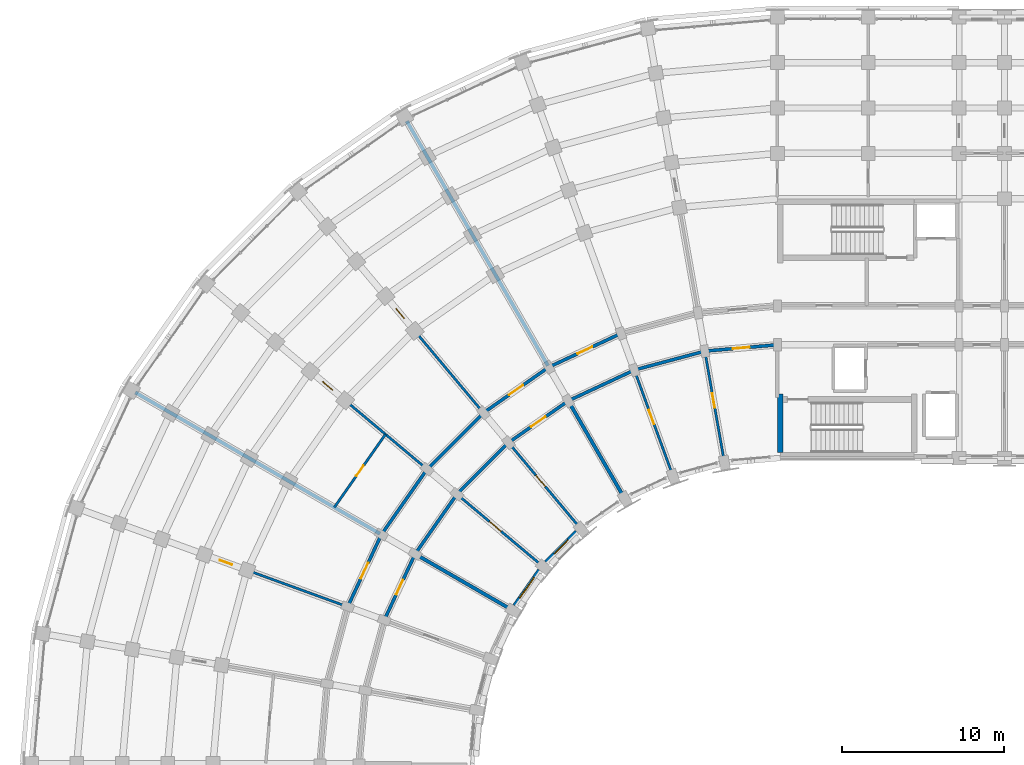
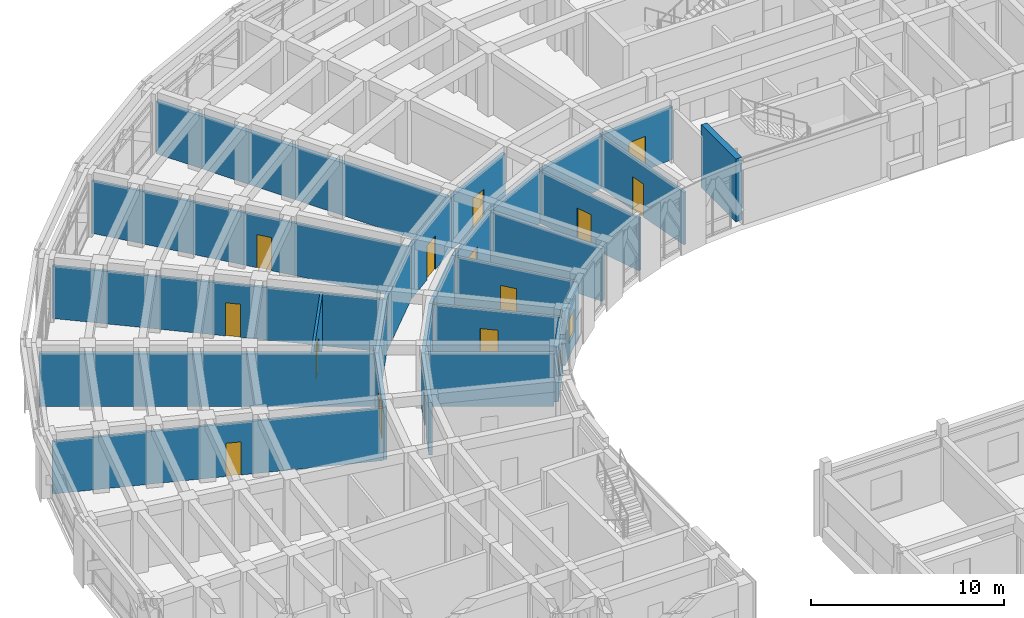
# One storey, part 68 of 97: 27 walls, 14 doors, 2 windows, 16 openings.
"""IFC4 building model written with IfcOpenShell, lengths in metres."""

from ifc_helpers import new_model, si_unit, direction, frame, frame_2d, origin, place, context, subcontext, project, spatial, rectangle, extrude, material, layer, layer_set, type_object, element, fill, save


model = new_model("IFC4")

# Units and contexts
model_context = context("Model", 3, precision=1e-05, world=origin(), true_north=direction((0.0, 1.0)))
body_context = subcontext(model_context, "Body", "Model", "MODEL_VIEW")
ifc_project = project(units=[si_unit("LENGTHUNIT", "METRE"), si_unit("AREAUNIT", "SQUARE_METRE"), si_unit("VOLUMEUNIT", "CUBIC_METRE"), si_unit("PLANEANGLEUNIT", "RADIAN"), si_unit("MASSUNIT", "GRAM", prefix="KILO")], contexts=[model_context])

# Site, building, storey
site_placement = place(None, origin())
site = spatial("IfcSite", under=ifc_project, at=site_placement, CompositionType="ELEMENT")
building_placement = place(site_placement, origin())
building = spatial("IfcBuilding", under=site, at=building_placement, Name="Kiranvali Square Residences", CompositionType="ELEMENT")
storey_placement = place(building_placement, frame((0.0, 0.0, 4.5)))
storey = spatial("IfcBuildingStorey", under=building, at=storey_placement, Name="L01", CompositionType="ELEMENT", Elevation=4.5)

# Wall, opening, door
ifc_material_1 = material(Name="Autoclaved aerated concrete blockwork masonry", Category="masonry")
ifc_layer_1 = layer(ifc_material_1, 0.199951171875)
ifc_layer_set_1 = layer_set([ifc_layer_1], Name="Autoclaved aerated concrete blockwork masonry")
wall_type_1 = type_object("IfcWallType", Name="WL-COR-200", PredefinedType="STANDARD", material=ifc_layer_set_1)
wall_1_placement = place(storey_placement, frame((48.199951171875, 113.60009765625, 0.0), z_axis=(0.0, 0.0, 1.0), x_axis=(-0.996191949488, -0.087187153726, 0.0)))
wall_1 = element("IfcWall", 1, at=wall_1_placement, inside=storey, type_object=wall_type_1, Name="L01 architectural wall WL-L01-A-CCI-0", PredefinedType="STANDARD", context=body_context, shape_type="SweptSolid", body=[
    extrude(rectangle(XDim=4.4970703125, YDim=0.199951171875, at=frame_2d((2.24853515625, 0.0))), origin(), (0.0, 0.0, 1.0), 3.322021484375),
])
opening_1_placement = place(wall_1_placement, frame((1.728515625, 0.0, 0.0)))
opening_1 = element("IfcOpeningElement", 2, at=opening_1_placement, cuts=wall_1, Name="Opening FD-APT-60B", PredefinedType="OPENING", context=body_context, shape_type="SweptSolid", body=[
    extrude(rectangle(XDim=1.0400390625, YDim=2.14990234375, at=frame_2d((0.52001953125, 1.074951171875))), frame((0.0, 0.10986328125, 0.0), z_axis=(0.0, -1.0, 0.0), x_axis=(1.0, 0.0, 0.0)), (0.0, 0.0, 1.0), 0.219970703125),
])
ifc_material_2 = material(Name="Fire-rated acoustic hardwood and mineral-core door assembly", Category="wood")
door_type_1 = type_object("IfcDoorType", Name="DR-APT-1040", OperationType="NOTDEFINED", PredefinedType="DOOR", material=ifc_material_2)
door_1_placement = place(opening_1_placement, origin())
door_1 = element("IfcDoor", 3, at=door_1_placement, inside=storey, type_object=door_type_1, Name="L01 door DR-L01-0141 (DR-APT-1040)", OperationType="SINGLE_SWING_LEFT", OverallHeight=2.14990234375, OverallWidth=1.0400390625, PredefinedType="DOOR", context=body_context, shape_type="SweptSolid", body=[
    extrude(rectangle(XDim=1.0400390625, YDim=2.14990234375, at=frame_2d((0.52001953125, 1.074951171875))), frame((0.0, 0.02490234375, 0.0), z_axis=(0.0, -1.0, 0.0), x_axis=(1.0, 0.0, 0.0)), (0.0, 0.0, 1.0), 0.050048828125),
])
fill(opening_1, door_1)

# Walls
for number, where, z_axis, x_axis, name in (
    (4, (43.719970703125, 113.2080078125, 0.0), (0.0, 0.0, 1.0), (-0.965934240054, -0.258787642463, 0.0), "L01 architectural wall WL-L01-A-CCI-1"),
    (5, (39.3759765625, 112.044189453125, 0.0), (0.0, 0.0, 1.0), (-0.906307919131, -0.422617978463, 0.0), "L01 architectural wall WL-L01-A-CCI-2"),
):
    element("IfcWall", number, at=place(storey_placement, frame(where, z_axis=z_axis, x_axis=x_axis)), inside=storey, type_object=wall_type_1, Name=name, PredefinedType="STANDARD", context=body_context, shape_type="SweptSolid", body=[
        extrude(rectangle(XDim=4.497314453125, YDim=0.199951171875, at=frame_2d((2.24853515625, 0.0))), origin(), (0.0, 0.0, 1.0), 3.322021484375),
    ])

# Wall, opening, door
wall_2_placement = place(storey_placement, frame((38.554931640625, 114.29931640625, 0.0), z_axis=(0.0, 0.0, 1.0), x_axis=(-0.906302381024, -0.422629854778, 0.0)))
wall_2 = element("IfcWall", 6, at=wall_2_placement, inside=storey, type_object=wall_type_1, Name="L01 architectural wall WL-L01-A-CCO-2", PredefinedType="STANDARD", context=body_context, shape_type="SweptSolid", body=[
    extrude(rectangle(XDim=4.915283203125, YDim=0.199951171875, at=frame_2d((2.45751953125, 0.0))), origin(), (0.0, 0.0, 1.0), 3.322021484375),
])
opening_2_placement = place(wall_2_placement, frame((1.957763671875, 0.0, 0.0)))
opening_2 = element("IfcOpeningElement", 7, at=opening_2_placement, cuts=wall_2, Name="Opening FD-APT-60", PredefinedType="OPENING", context=body_context, shape_type="SweptSolid", body=[
    extrude(rectangle(XDim=1.0, YDim=2.14990234375, at=frame_2d((0.5, 1.074951171875))), frame((0.0, 0.10986328125, 0.0), z_axis=(0.0, -1.0, 0.0), x_axis=(1.0, 0.0, 0.0)), (0.0, 0.0, 1.0), 0.219970703125),
])
door_type_2 = type_object("IfcDoorType", Name="DR-APT-1000", OperationType="NOTDEFINED", PredefinedType="DOOR", material=ifc_material_2)
door_2_placement = place(opening_2_placement, frame((1.0, 0.0, 0.0), z_axis=(0.0, 0.0, 1.0), x_axis=(-1.0, 0.0, 0.0)))
door_2 = element("IfcDoor", 8, at=door_2_placement, inside=storey, type_object=door_type_2, Name="L01 door DR-L01-0136 (DR-APT-1000)", OperationType="SINGLE_SWING_RIGHT", OverallHeight=2.14990234375, OverallWidth=1.0, PredefinedType="DOOR", context=body_context, shape_type="SweptSolid", body=[
    extrude(rectangle(XDim=1.0, YDim=2.14990234375, at=frame_2d((0.5, 1.074951171875))), frame((0.0, 0.02490234375, 0.0), z_axis=(0.0, -1.0, 0.0), x_axis=(1.0, 0.0, 0.0)), (0.0, 0.0, 1.0), 0.050048828125),
])
fill(opening_2, door_2)

wall_3_placement = place(storey_placement, frame((35.300048828125, 110.1435546875, 0.0), z_axis=(0.0, 0.0, 1.0), x_axis=(-0.819155404658, -0.573571637217, 0.0)))
wall_3 = element("IfcWall", 9, at=wall_3_placement, inside=storey, type_object=wall_type_1, Name="L01 architectural wall WL-L01-A-CCI-3", PredefinedType="STANDARD", context=body_context, shape_type="SweptSolid", body=[
    extrude(rectangle(XDim=4.497314453125, YDim=0.199951171875, at=frame_2d((2.24853515625, 0.0))), origin(), (0.0, 0.0, 1.0), 3.322021484375),
])
opening_3_placement = place(wall_3_placement, frame((1.708740234375, 0.0, 0.0)))
opening_3 = element("IfcOpeningElement", 10, at=opening_3_placement, cuts=wall_3, Name="Opening FD-APT-60C", PredefinedType="OPENING", context=body_context, shape_type="SweptSolid", body=[
    extrude(rectangle(XDim=1.080078125, YDim=2.14990234375, at=frame_2d((0.5400390625, 1.074951171875))), frame((0.0, 0.10986328125, 0.0), z_axis=(0.0, -1.0, 0.0), x_axis=(1.0, 0.0, 0.0)), (0.0, 0.0, 1.0), 0.219970703125),
])
door_type_3 = type_object("IfcDoorType", Name="DR-APT-1080", OperationType="NOTDEFINED", PredefinedType="DOOR", material=ifc_material_2)
door_3_placement = place(opening_3_placement, frame((1.080078125, 0.0, 0.0), z_axis=(0.0, 0.0, 1.0), x_axis=(-1.0, 0.0, 0.0)))
door_3 = element("IfcDoor", 11, at=door_3_placement, inside=storey, type_object=door_type_3, Name="L01 door DR-L01-0142 (DR-APT-1080)", OperationType="SINGLE_SWING_RIGHT", OverallHeight=2.14990234375, OverallWidth=1.080078125, PredefinedType="DOOR", context=body_context, shape_type="SweptSolid", body=[
    extrude(rectangle(XDim=1.080078125, YDim=2.14990234375, at=frame_2d((0.5400390625, 1.074951171875))), frame((0.0, 0.02490234375, 0.0), z_axis=(0.0, -1.0, 0.0), x_axis=(1.0, 0.0, 0.0)), (0.0, 0.0, 1.0), 0.050048828125),
])
fill(opening_3, door_3)

wall_4_placement = place(storey_placement, frame((34.10009765625, 112.221923828125, 0.0), z_axis=(0.0, 0.0, 1.0), x_axis=(-0.819140911474, -0.573592335331, 0.0)))
wall_4 = element("IfcWall", 12, at=wall_4_placement, inside=storey, type_object=wall_type_1, Name="L01 architectural wall WL-L01-A-CCO-3", PredefinedType="STANDARD", context=body_context, shape_type="SweptSolid", body=[
    extrude(rectangle(XDim=4.915771484375, YDim=0.199951171875, at=frame_2d((2.4580078125, 0.0))), origin(), (0.0, 0.0, 1.0), 3.322021484375),
])
opening_4_placement = place(wall_4_placement, frame((1.937744140625, 0.0, 0.0)))
opening_4 = element("IfcOpeningElement", 13, at=opening_4_placement, cuts=wall_4, Name="Opening FD-APT-60B", PredefinedType="OPENING", context=body_context, shape_type="SweptSolid", body=[
    extrude(rectangle(XDim=1.0400390625, YDim=2.14990234375, at=frame_2d((0.52001953125, 1.074951171875))), frame((0.0, 0.10986328125, 0.0), z_axis=(0.0, -1.0, 0.0), x_axis=(1.0, 0.0, 0.0)), (0.0, 0.0, 1.0), 0.219970703125),
])
door_4_placement = place(opening_4_placement, origin())
door_4 = element("IfcDoor", 14, at=door_4_placement, inside=storey, type_object=door_type_1, Name="L01 door DR-L01-0137 (DR-APT-1040)", OperationType="SINGLE_SWING_LEFT", OverallHeight=2.14990234375, OverallWidth=1.0400390625, PredefinedType="DOOR", context=body_context, shape_type="SweptSolid", body=[
    extrude(rectangle(XDim=1.0400390625, YDim=2.14990234375, at=frame_2d((0.52001953125, 1.074951171875))), frame((0.0, 0.02490234375, 0.0), z_axis=(0.0, -1.0, 0.0), x_axis=(1.0, 0.0, 0.0)), (0.0, 0.0, 1.0), 0.050048828125),
])
fill(opening_4, door_4)

# Walls
wall_5_placement = place(storey_placement, frame((31.615966796875, 107.56396484375, 0.0), z_axis=(0.0, 0.0, 1.0), x_axis=(-0.707106781187, -0.707106781187, 0.0)))
element("IfcWall", 15, at=wall_5_placement, inside=storey, type_object=wall_type_1, Name="L01 architectural wall WL-L01-A-CCI-4", PredefinedType="STANDARD", context=body_context, shape_type="SweptSolid", body=[
    extrude(rectangle(XDim=4.4970703125, YDim=0.199951171875, at=frame_2d((2.24853515625, 0.0))), origin(), (0.0, 0.0, 1.0), 3.322021484375),
])
wall_6_placement = place(storey_placement, frame((30.073486328125, 109.40234375, 0.0), z_axis=(0.0, 0.0, 1.0), x_axis=(-0.707106781187, -0.707106781187, 0.0)))
element("IfcWall", 16, at=wall_6_placement, inside=storey, type_object=wall_type_1, Name="L01 architectural wall WL-L01-A-CCO-4", PredefinedType="STANDARD", context=body_context, shape_type="SweptSolid", body=[
    extrude(rectangle(XDim=4.91552734375, YDim=0.199951171875, at=frame_2d((2.457763671875, 0.0))), origin(), (0.0, 0.0, 1.0), 3.322021484375),
])
wall_7_placement = place(storey_placement, frame((28.43603515625, 104.384033203125, 0.0), z_axis=(0.0, 0.0, 1.0), x_axis=(-0.573571637217, -0.819155404658, 0.0)))
element("IfcWall", 17, at=wall_7_placement, inside=storey, type_object=wall_type_1, Name="L01 architectural wall WL-L01-A-CCI-5", PredefinedType="STANDARD", context=body_context, shape_type="SweptSolid", body=[
    extrude(rectangle(XDim=4.497314453125, YDim=0.199951171875, at=frame_2d((2.24853515625, 0.0))), origin(), (0.0, 0.0, 1.0), 3.322021484375),
])
wall_8_placement = place(storey_placement, frame((26.59765625, 105.926513671875, 0.0), z_axis=(0.0, 0.0, 1.0), x_axis=(-0.573592335331, -0.819140911474, 0.0)))
element("IfcWall", 18, at=wall_8_placement, inside=storey, type_object=wall_type_1, Name="L01 architectural wall WL-L01-A-CCO-5", PredefinedType="STANDARD", context=body_context, shape_type="SweptSolid", body=[
    extrude(rectangle(XDim=4.915771484375, YDim=0.199951171875, at=frame_2d((2.4580078125, 0.0))), origin(), (0.0, 0.0, 1.0), 3.322021484375),
])

# Wall, opening, door
wall_9_placement = place(storey_placement, frame((25.8564453125, 100.699951171875, 0.0), z_axis=(0.0, 0.0, 1.0), x_axis=(-0.422617978463, -0.906307919131, 0.0)))
wall_9 = element("IfcWall", 19, at=wall_9_placement, inside=storey, type_object=wall_type_1, Name="L01 architectural wall WL-L01-A-CCI-6", PredefinedType="STANDARD", context=body_context, shape_type="SweptSolid", body=[
    extrude(rectangle(XDim=4.497314453125, YDim=0.199951171875, at=frame_2d((2.24853515625, 0.0))), origin(), (0.0, 0.0, 1.0), 3.322021484375),
])
opening_5_placement = place(wall_9_placement, frame((1.74853515625, 0.0, 0.0)))
opening_5 = element("IfcOpeningElement", 20, at=opening_5_placement, cuts=wall_9, Name="Opening FD-APT-60", PredefinedType="OPENING", context=body_context, shape_type="SweptSolid", body=[
    extrude(rectangle(XDim=1.0, YDim=2.14990234375, at=frame_2d((0.5, 1.074951171875))), frame((0.0, 0.10986328125, 0.0), z_axis=(0.0, -1.0, 0.0), x_axis=(1.0, 0.0, 0.0)), (0.0, 0.0, 1.0), 0.219970703125),
])
door_5_placement = place(opening_5_placement, origin())
door_5 = element("IfcDoor", 21, at=door_5_placement, inside=storey, type_object=door_type_2, Name="L01 door DR-L01-0143 (DR-APT-1000)", OperationType="SINGLE_SWING_LEFT", OverallHeight=2.14990234375, OverallWidth=1.0, PredefinedType="DOOR", context=body_context, shape_type="SweptSolid", body=[
    extrude(rectangle(XDim=1.0, YDim=2.14990234375, at=frame_2d((0.5, 1.074951171875))), frame((0.0, 0.02490234375, 0.0), z_axis=(0.0, -1.0, 0.0), x_axis=(1.0, 0.0, 0.0)), (0.0, 0.0, 1.0), 0.050048828125),
])
fill(opening_5, door_5)

wall_10_placement = place(storey_placement, frame((23.778076171875, 101.89990234375, 0.0), z_axis=(0.0, 0.0, 1.0), x_axis=(-0.422629854778, -0.906302381024, 0.0)))
wall_10 = element("IfcWall", 22, at=wall_10_placement, inside=storey, type_object=wall_type_1, Name="L01 architectural wall WL-L01-A-CCO-6", PredefinedType="STANDARD", context=body_context, shape_type="SweptSolid", body=[
    extrude(rectangle(XDim=4.915283203125, YDim=0.199951171875, at=frame_2d((2.45751953125, 0.0))), origin(), (0.0, 0.0, 1.0), 3.322021484375),
])
opening_6_placement = place(wall_10_placement, frame((1.917724609375, 0.0, 0.0)))
opening_6 = element("IfcOpeningElement", 23, at=opening_6_placement, cuts=wall_10, Name="Opening FD-APT-60C", PredefinedType="OPENING", context=body_context, shape_type="SweptSolid", body=[
    extrude(rectangle(XDim=1.080078125, YDim=2.14990234375, at=frame_2d((0.5400390625, 1.074951171875))), frame((0.0, 0.10986328125, 0.0), z_axis=(0.0, -1.0, 0.0), x_axis=(1.0, 0.0, 0.0)), (0.0, 0.0, 1.0), 0.219970703125),
])
door_6_placement = place(opening_6_placement, origin())
door_6 = element("IfcDoor", 24, at=door_6_placement, inside=storey, type_object=door_type_3, Name="L01 door DR-L01-0139 (DR-APT-1080)", OperationType="SINGLE_SWING_LEFT", OverallHeight=2.14990234375, OverallWidth=1.080078125, PredefinedType="DOOR", context=body_context, shape_type="SweptSolid", body=[
    extrude(rectangle(XDim=1.080078125, YDim=2.14990234375, at=frame_2d((0.5400390625, 1.074951171875))), frame((0.0, 0.02490234375, 0.0), z_axis=(0.0, -1.0, 0.0), x_axis=(1.0, 0.0, 0.0)), (0.0, 0.0, 1.0), 0.050048828125),
])
fill(opening_6, door_6)

# Walls
ifc_layer_2 = layer(ifc_material_1, 0.219970703125)
ifc_layer_set_2 = layer_set([ifc_layer_2], Name="Autoclaved aerated concrete blockwork masonry")
wall_type_2 = type_object("IfcWallType", Name="WL-DEM-220", PredefinedType="STANDARD", material=ifc_layer_set_2)
for number, where, z_axis, x_axis, name in (
    (25, (38.699951171875, 104.25439453125, 0.0), (0.0, 0.0, 1.0), (-0.499997969693, 0.866026575979, 0.0), "L01 architectural wall WL-L01-A-RADI-3"),
    (26, (31.74560546875, 97.300048828125, 0.0), (0.0, 0.0, 1.0), (-0.866026575979, 0.499997969693, 0.0), "L01 architectural wall WL-L01-A-RADI-6"),
):
    element("IfcWall", number, at=place(storey_placement, frame(where, z_axis=z_axis, x_axis=x_axis)), inside=storey, type_object=wall_type_2, Name=name, PredefinedType="STANDARD", context=body_context, shape_type="SweptSolid", body=[
        extrude(rectangle(XDim=6.75, YDim=0.219970703125, at=frame_2d((3.375, 0.0))), origin(), (0.0, 0.0, 1.0), 3.322021484375),
    ])
ifc_layer_3 = layer(ifc_material_1, 0.22998046875)
ifc_layer_set_3 = layer_set([ifc_layer_3], Name="Autoclaved aerated concrete blockwork masonry")
wall_type_3 = type_object("IfcWallType", Name="WL-DEM-230", PredefinedType="STANDARD", material=ifc_layer_set_3)
for number, where, z_axis, x_axis, name in (
    (27, (34.050048828125, 112.30859375, 0.0), (0.0, 0.0, 1.0), (-0.499997843263, 0.866026648973, 0.0), "L01 architectural wall WL-L01-A-RADO-3"),
    (28, (23.69140625, 101.949951171875, 0.0), (0.0, 0.0, 1.0), (-0.866026648973, 0.499997843263, 0.0), "L01 architectural wall WL-L01-A-RADO-6"),
):
    element("IfcWall", number, at=place(storey_placement, frame(where, z_axis=z_axis, x_axis=x_axis)), inside=storey, type_object=wall_type_3, Name=name, PredefinedType="STANDARD", context=body_context, shape_type="SweptSolid", body=[
        extrude(rectangle(XDim=17.419921875, YDim=0.22998046875, at=frame_2d((8.7099609375, 0.0))), origin(), (0.0, 0.0, 1.0), 3.322021484375),
    ])

# Wall, opening, window
ifc_material_3 = material(Name="Breathable lime-rendered clay brick masonry", Category="masonry")
ifc_layer_4 = layer(ifc_material_3, 0.25)
ifc_layer_set_4 = layer_set([ifc_layer_4], Name="Breathable lime-rendered clay brick masonry")
wall_type_4 = type_object("IfcWallType", Name="WL-EXT-250", PredefinedType="STANDARD", material=ifc_layer_set_4)
wall_11_placement = place(storey_placement, frame((35.8125, 102.0751953125, 0.0), z_axis=(0.0, 0.0, 1.0), x_axis=(-0.707106781187, -0.707106781187, 0.0)))
wall_11 = element("IfcWall", 29, at=wall_11_placement, inside=storey, type_object=wall_type_4, Name="L01 exterior wall A-L01-GDN-04", PredefinedType="STANDARD", context=body_context, shape_type="SweptSolid", body=[
    extrude(rectangle(XDim=2.669677734375, YDim=0.25, at=frame_2d((1.3349609375, 0.0))), origin(), (0.0, 0.0, 1.0), 3.471923828125),
])
opening_7_placement = place(wall_11_placement, frame((0.73486328125, 0.0, 0.8798828125)))
opening_7 = element("IfcOpeningElement", 30, at=opening_7_placement, cuts=wall_11, Name="Opening W-06", PredefinedType="OPENING", context=body_context, shape_type="SweptSolid", body=[
    extrude(rectangle(XDim=1.199951171875, YDim=1.5, at=frame_2d((0.60009765625, 0.75))), frame((0.0, 0.135009765625, 0.0), z_axis=(0.0, -1.0, 0.0), x_axis=(1.0, 0.0, 0.0)), (0.0, 0.0, 1.0), 0.27001953125),
])
ifc_material_4 = material(Name="Solar-control low-e double glazing", Category="glass")
window_type_1 = type_object("IfcWindowType", Name="WIN-RES-1200x1500", PartitioningType="SINGLE_PANEL", PredefinedType="WINDOW", material=ifc_material_4)
window_1_placement = place(opening_7_placement, origin())
window_1 = element("IfcWindow", 31, at=window_1_placement, inside=storey, type_object=window_type_1, Name="L01 recessed window A-L01-GDN-04", OverallHeight=1.5, OverallWidth=1.199951171875, PartitioningType="SINGLE_PANEL", PredefinedType="WINDOW", context=body_context, shape_type="SweptSolid", body=[
    extrude(rectangle(XDim=1.199951171875, YDim=1.5, at=frame_2d((0.60009765625, 0.75))), frame((0.0, 0.030029296875, 0.0), z_axis=(0.0, -1.0, 0.0), x_axis=(1.0, 0.0, 0.0)), (0.0, 0.0, 1.0), 0.06005859375),
])
fill(opening_7, window_1)

wall_12_placement = place(storey_placement, frame((33.521728515625, 99.707275390625, 0.0), z_axis=(0.0, 0.0, 1.0), x_axis=(-0.573591230309, -0.819141685249, 0.0)))
wall_12 = element("IfcWall", 32, at=wall_12_placement, inside=storey, type_object=wall_type_4, Name="L01 exterior wall A-L01-GDN-05", PredefinedType="STANDARD", context=body_context, shape_type="SweptSolid", body=[
    extrude(rectangle(XDim=2.669677734375, YDim=0.25, at=frame_2d((1.3349609375, 0.0))), origin(), (0.0, 0.0, 1.0), 3.471923828125),
])
opening_8_placement = place(wall_12_placement, frame((0.559814453125, 0.0, 0.8798828125)))
opening_8 = element("IfcOpeningElement", 33, at=opening_8_placement, cuts=wall_12, Name="Opening W-18", PredefinedType="OPENING", context=body_context, shape_type="SweptSolid", body=[
    extrude(rectangle(XDim=1.550048828125, YDim=1.60009765625, at=frame_2d((0.77490234375, 0.800048828125))), frame((0.0, 0.135009765625, 0.0), z_axis=(0.0, -1.0, 0.0), x_axis=(1.0, 0.0, 0.0)), (0.0, 0.0, 1.0), 0.27001953125),
])
window_type_2 = type_object("IfcWindowType", Name="WIN-GDN-1550x1600", PartitioningType="DOUBLE_PANEL_VERTICAL", PredefinedType="WINDOW", material=ifc_material_4)
window_2_placement = place(opening_8_placement, origin())
window_2 = element("IfcWindow", 34, at=window_2_placement, inside=storey, type_object=window_type_2, Name="L01 recessed window A-L01-GDN-05", OverallHeight=1.60009765625, OverallWidth=1.550048828125, PartitioningType="DOUBLE_PANEL_VERTICAL", PredefinedType="WINDOW", context=body_context, shape_type="SweptSolid", body=[
    extrude(rectangle(XDim=1.550048828125, YDim=1.60009765625, at=frame_2d((0.77490234375, 0.800048828125))), frame((0.0, 0.030029296875, 0.0), z_axis=(0.0, -1.0, 0.0), x_axis=(1.0, 0.0, 0.0)), (0.0, 0.0, 1.0), 0.06005859375),
])
fill(opening_8, window_2)

# Wall, opening, door
ifc_material_5 = material(Name="Acoustic gypsum board drylined partition", Category="gypsum")
ifc_layer_5 = layer(ifc_material_5, 0.14990234375)
ifc_layer_set_5 = layer_set([ifc_layer_5], Name="Acoustic gypsum board drylined partition")
wall_type_5 = type_object("IfcWallType", Name="WL-PRT-150", PredefinedType="PARTITIONING", material=ifc_layer_set_5)
wall_13_placement = place(storey_placement, frame((44.900634765625, 106.51123046875, 0.0), z_axis=(0.0, 0.0, 1.0), x_axis=(-0.173647089161, 0.984807944945, 0.0)))
wall_13 = element("IfcWall", 35, at=wall_13_placement, inside=storey, type_object=wall_type_5, Name="L01 architectural wall WL-L01-A-RADI-1", PredefinedType="PARTITIONING", context=body_context, shape_type="SweptSolid", body=[
    extrude(rectangle(XDim=6.75, YDim=0.14990234375, at=frame_2d((3.375, 0.0))), origin(), (0.0, 0.0, 1.0), 3.322021484375),
])
opening_9_placement = place(wall_13_placement, frame((3.262451171875, 0.0, 0.0)))
opening_9 = element("IfcOpeningElement", 36, at=opening_9_placement, cuts=wall_13, Name="Opening ID-1", PredefinedType="OPENING", context=body_context, shape_type="SweptSolid", body=[
    extrude(rectangle(XDim=0.89990234375, YDim=2.10009765625, at=frame_2d((0.449951171875, 1.050048828125))), frame((0.0, 0.0849609375, 0.0), z_axis=(0.0, -1.0, 0.0), x_axis=(1.0, 0.0, 0.0)), (0.0, 0.0, 1.0), 0.169921875),
])
ifc_material_6 = material(Name="Solid seasoned teak hardwood joinery", Category="wood")
door_type_4 = type_object("IfcDoorType", Name="DR-INT-900", OperationType="NOTDEFINED", PredefinedType="DOOR", material=ifc_material_6)
door_7_placement = place(opening_9_placement, frame((0.89990234375, 0.0, 0.0), z_axis=(0.0, 0.0, 1.0), x_axis=(-1.0, 0.0, 0.0)))
door_7 = element("IfcDoor", 37, at=door_7_placement, inside=storey, type_object=door_type_4, Name="L01 door DR-L01-0124 (DR-INT-900)", OperationType="SINGLE_SWING_RIGHT", OverallHeight=2.10009765625, OverallWidth=0.89990234375, PredefinedType="DOOR", context=body_context, shape_type="SweptSolid", body=[
    extrude(rectangle(XDim=0.89990234375, YDim=2.10009765625, at=frame_2d((0.449951171875, 1.050048828125))), frame((0.0, 0.02490234375, 0.0), z_axis=(0.0, -1.0, 0.0), x_axis=(1.0, 0.0, 0.0)), (0.0, 0.0, 1.0), 0.050048828125),
])
fill(opening_9, door_7)

wall_14_placement = place(storey_placement, frame((41.70166015625, 105.654052734375, 0.0), z_axis=(0.0, 0.0, 1.0), x_axis=(-0.342010221662, 0.939696231917, 0.0)))
wall_14 = element("IfcWall", 38, at=wall_14_placement, inside=storey, type_object=wall_type_5, Name="L01 architectural wall WL-L01-A-RADI-2", PredefinedType="PARTITIONING", context=body_context, shape_type="SweptSolid", body=[
    extrude(rectangle(XDim=6.75, YDim=0.14990234375, at=frame_2d((3.375, 0.0))), origin(), (0.0, 0.0, 1.0), 3.322021484375),
])
opening_10_placement = place(wall_14_placement, frame((3.242431640625, 0.0, 0.0)))
opening_10 = element("IfcOpeningElement", 39, at=opening_10_placement, cuts=wall_14, Name="Opening ID-2", PredefinedType="OPENING", context=body_context, shape_type="SweptSolid", body=[
    extrude(rectangle(XDim=0.93994140625, YDim=2.10009765625, at=frame_2d((0.469970703125, 1.050048828125))), frame((0.0, 0.0849609375, 0.0), z_axis=(0.0, -1.0, 0.0), x_axis=(1.0, 0.0, 0.0)), (0.0, 0.0, 1.0), 0.169921875),
])
door_type_5 = type_object("IfcDoorType", Name="DR-INT-940", OperationType="NOTDEFINED", PredefinedType="DOOR", material=ifc_material_6)
door_8_placement = place(opening_10_placement, frame((0.93994140625, 0.0, 0.0), z_axis=(0.0, 0.0, 1.0), x_axis=(-1.0, 0.0, 0.0)))
door_8 = element("IfcDoor", 40, at=door_8_placement, inside=storey, type_object=door_type_5, Name="L01 door DR-L01-0126 (DR-INT-940)", OperationType="SINGLE_SWING_RIGHT", OverallHeight=2.10009765625, OverallWidth=0.93994140625, PredefinedType="DOOR", context=body_context, shape_type="SweptSolid", body=[
    extrude(rectangle(XDim=0.93994140625, YDim=2.10009765625, at=frame_2d((0.469970703125, 1.050048828125))), frame((0.0, 0.02490234375, 0.0), z_axis=(0.0, -1.0, 0.0), x_axis=(1.0, 0.0, 0.0)), (0.0, 0.0, 1.0), 0.050048828125),
])
fill(opening_10, door_8)

wall_15_placement = place(storey_placement, frame((35.987060546875, 102.354736328125, 0.0), z_axis=(0.0, 0.0, 1.0), x_axis=(-0.642784846501, 0.766046761698, 0.0)))
wall_15 = element("IfcWall", 41, at=wall_15_placement, inside=storey, type_object=wall_type_5, Name="L01 architectural wall WL-L01-A-RADI-4", PredefinedType="PARTITIONING", context=body_context, shape_type="SweptSolid", body=[
    extrude(rectangle(XDim=6.75, YDim=0.14990234375, at=frame_2d((3.375, 0.0))), origin(), (0.0, 0.0, 1.0), 3.322021484375),
])
opening_11_placement = place(wall_15_placement, frame((3.262451171875, 0.0, 0.0)))
opening_11 = element("IfcOpeningElement", 42, at=opening_11_placement, cuts=wall_15, Name="Opening ID-1", PredefinedType="OPENING", context=body_context, shape_type="SweptSolid", body=[
    extrude(rectangle(XDim=0.89990234375, YDim=2.10009765625, at=frame_2d((0.449951171875, 1.050048828125))), frame((0.0, 0.0849609375, 0.0), z_axis=(0.0, -1.0, 0.0), x_axis=(1.0, 0.0, 0.0)), (0.0, 0.0, 1.0), 0.169921875),
])
door_9_placement = place(opening_11_placement, origin())
door_9 = element("IfcDoor", 43, at=door_9_placement, inside=storey, type_object=door_type_4, Name="L01 door DR-L01-0127 (DR-INT-900)", OperationType="SINGLE_SWING_LEFT", OverallHeight=2.10009765625, OverallWidth=0.89990234375, PredefinedType="DOOR", context=body_context, shape_type="SweptSolid", body=[
    extrude(rectangle(XDim=0.89990234375, YDim=2.10009765625, at=frame_2d((0.449951171875, 1.050048828125))), frame((0.0, 0.02490234375, 0.0), z_axis=(0.0, -1.0, 0.0), x_axis=(1.0, 0.0, 0.0)), (0.0, 0.0, 1.0), 0.050048828125),
])
fill(opening_11, door_9)

wall_16_placement = place(storey_placement, frame((30.009033203125, 109.47900390625, 0.0), z_axis=(0.0, 0.0, 1.0), x_axis=(-0.642784757967, 0.766046835987, 0.0)))
wall_16 = element("IfcWall", 44, at=wall_16_placement, inside=storey, type_object=wall_type_5, Name="L01 architectural wall WL-L01-A-RADO-4", PredefinedType="PARTITIONING", context=body_context, shape_type="SweptSolid", body=[
    extrude(rectangle(XDim=17.419921875, YDim=0.14990234375, at=frame_2d((8.7099609375, 0.0))), origin(), (0.0, 0.0, 1.0), 3.322021484375),
])
opening_12_placement = place(wall_16_placement, frame((7.5, 0.0, 0.0)))
opening_12 = element("IfcOpeningElement", 45, at=opening_12_placement, cuts=wall_16, Name="Opening ID-WET", PredefinedType="OPENING", context=body_context, shape_type="SweptSolid", body=[
    extrude(rectangle(XDim=0.800048828125, YDim=2.10009765625, at=frame_2d((0.39990234375, 1.050048828125))), frame((0.0, 0.0849609375, 0.0), z_axis=(0.0, -1.0, 0.0), x_axis=(1.0, 0.0, 0.0)), (0.0, 0.0, 1.0), 0.169921875),
])
door_type_6 = type_object("IfcDoorType", Name="DR-WET-800", OperationType="NOTDEFINED", PredefinedType="DOOR", material=ifc_material_6)
door_10_placement = place(opening_12_placement, frame((0.800048828125, 0.0, 0.0), z_axis=(0.0, 0.0, 1.0), x_axis=(-1.0, 0.0, 0.0)))
door_10 = element("IfcDoor", 46, at=door_10_placement, inside=storey, type_object=door_type_6, Name="L01 door DR-L01-0128 (DR-WET-800)", OperationType="SINGLE_SWING_RIGHT", OverallHeight=2.10009765625, OverallWidth=0.800048828125, PredefinedType="DOOR", context=body_context, shape_type="SweptSolid", body=[
    extrude(rectangle(XDim=0.800048828125, YDim=2.10009765625, at=frame_2d((0.39990234375, 1.050048828125))), frame((0.0, 0.02490234375, 0.0), z_axis=(0.0, -1.0, 0.0), x_axis=(1.0, 0.0, 0.0)), (0.0, 0.0, 1.0), 0.050048828125),
])
fill(opening_12, door_10)

wall_17_placement = place(storey_placement, frame((33.645263671875, 100.012939453125, 0.0), z_axis=(0.0, 0.0, 1.0), x_axis=(-0.766046761698, 0.642784846501, 0.0)))
wall_17 = element("IfcWall", 47, at=wall_17_placement, inside=storey, type_object=wall_type_5, Name="L01 architectural wall WL-L01-A-RADI-5", PredefinedType="PARTITIONING", context=body_context, shape_type="SweptSolid", body=[
    extrude(rectangle(XDim=6.75, YDim=0.14990234375, at=frame_2d((3.375, 0.0))), origin(), (0.0, 0.0, 1.0), 3.322021484375),
])
opening_13_placement = place(wall_17_placement, frame((3.242431640625, 0.0, 0.0)))
opening_13 = element("IfcOpeningElement", 48, at=opening_13_placement, cuts=wall_17, Name="Opening ID-2", PredefinedType="OPENING", context=body_context, shape_type="SweptSolid", body=[
    extrude(rectangle(XDim=0.93994140625, YDim=2.10009765625, at=frame_2d((0.469970703125, 1.050048828125))), frame((0.0, 0.0849609375, 0.0), z_axis=(0.0, -1.0, 0.0), x_axis=(1.0, 0.0, 0.0)), (0.0, 0.0, 1.0), 0.169921875),
])
door_11_placement = place(opening_13_placement, origin())
door_11 = element("IfcDoor", 49, at=door_11_placement, inside=storey, type_object=door_type_5, Name="L01 door DR-L01-0129 (DR-INT-940)", OperationType="SINGLE_SWING_LEFT", OverallHeight=2.10009765625, OverallWidth=0.93994140625, PredefinedType="DOOR", context=body_context, shape_type="SweptSolid", body=[
    extrude(rectangle(XDim=0.93994140625, YDim=2.10009765625, at=frame_2d((0.469970703125, 1.050048828125))), frame((0.0, 0.02490234375, 0.0), z_axis=(0.0, -1.0, 0.0), x_axis=(1.0, 0.0, 0.0)), (0.0, 0.0, 1.0), 0.050048828125),
])
fill(opening_13, door_11)

wall_18_placement = place(storey_placement, frame((26.52099609375, 105.990966796875, 0.0), z_axis=(0.0, 0.0, 1.0), x_axis=(-0.766046835987, 0.642784757967, 0.0)))
wall_18 = element("IfcWall", 50, at=wall_18_placement, inside=storey, type_object=wall_type_5, Name="L01 architectural wall WL-L01-A-RADO-5", PredefinedType="PARTITIONING", context=body_context, shape_type="SweptSolid", body=[
    extrude(rectangle(XDim=17.419921875, YDim=0.14990234375, at=frame_2d((8.7099609375, 0.0))), origin(), (0.0, 0.0, 1.0), 3.322021484375),
])
opening_14_placement = place(wall_18_placement, frame((7.5, 0.0, 0.0)))
opening_14 = element("IfcOpeningElement", 51, at=opening_14_placement, cuts=wall_18, Name="Opening ID-WET", PredefinedType="OPENING", context=body_context, shape_type="SweptSolid", body=[
    extrude(rectangle(XDim=0.800048828125, YDim=2.10009765625, at=frame_2d((0.39990234375, 1.050048828125))), frame((0.0, 0.0849609375, 0.0), z_axis=(0.0, -1.0, 0.0), x_axis=(1.0, 0.0, 0.0)), (0.0, 0.0, 1.0), 0.169921875),
])
door_12_placement = place(opening_14_placement, frame((0.800048828125, 0.0, 0.0), z_axis=(0.0, 0.0, 1.0), x_axis=(-1.0, 0.0, 0.0)))
door_12 = element("IfcDoor", 52, at=door_12_placement, inside=storey, type_object=door_type_6, Name="L01 door DR-L01-0130 (DR-WET-800)", OperationType="SINGLE_SWING_RIGHT", OverallHeight=2.10009765625, OverallWidth=0.800048828125, PredefinedType="DOOR", context=body_context, shape_type="SweptSolid", body=[
    extrude(rectangle(XDim=0.800048828125, YDim=2.10009765625, at=frame_2d((0.39990234375, 1.050048828125))), frame((0.0, 0.02490234375, 0.0), z_axis=(0.0, -1.0, 0.0), x_axis=(1.0, 0.0, 0.0)), (0.0, 0.0, 1.0), 0.050048828125),
])
fill(opening_14, door_12)

wall_19_placement = place(storey_placement, frame((21.606689453125, 97.479248046875, 0.0), z_axis=(0.0, 0.0, 1.0), x_axis=(-0.939691901159, 0.342022120477, 0.0)))
wall_19 = element("IfcWall", 53, at=wall_19_placement, inside=storey, type_object=wall_type_5, Name="L01 architectural wall WL-L01-A-RADO-7", PredefinedType="PARTITIONING", context=body_context, shape_type="SweptSolid", body=[
    extrude(rectangle(XDim=17.419921875, YDim=0.14990234375, at=frame_2d((8.7099609375, 0.0))), origin(), (0.0, 0.0, 1.0), 3.322021484375),
])
opening_15_placement = place(wall_19_placement, frame((7.5, 0.0, 0.0)))
opening_15 = element("IfcOpeningElement", 54, at=opening_15_placement, cuts=wall_19, Name="Opening ID-WET", PredefinedType="OPENING", context=body_context, shape_type="SweptSolid", body=[
    extrude(rectangle(XDim=0.800048828125, YDim=2.10009765625, at=frame_2d((0.39990234375, 1.050048828125))), frame((0.0, 0.0849609375, 0.0), z_axis=(0.0, -1.0, 0.0), x_axis=(1.0, 0.0, 0.0)), (0.0, 0.0, 1.0), 0.169921875),
])
door_13_placement = place(opening_15_placement, frame((0.800048828125, 0.0, 0.0), z_axis=(0.0, 0.0, 1.0), x_axis=(-1.0, 0.0, 0.0)))
door_13 = element("IfcDoor", 55, at=door_13_placement, inside=storey, type_object=door_type_6, Name="L01 door DR-L01-0132 (DR-WET-800)", OperationType="SINGLE_SWING_RIGHT", OverallHeight=2.10009765625, OverallWidth=0.800048828125, PredefinedType="DOOR", context=body_context, shape_type="SweptSolid", body=[
    extrude(rectangle(XDim=0.800048828125, YDim=2.10009765625, at=frame_2d((0.39990234375, 1.050048828125))), frame((0.0, 0.02490234375, 0.0), z_axis=(0.0, -1.0, 0.0), x_axis=(1.0, 0.0, 0.0)), (0.0, 0.0, 1.0), 0.050048828125),
])
fill(opening_15, door_13)

# Wall
ifc_material_7 = material(Name="Concrete M50 (50 MPa)", Category="concrete")
ifc_layer_6 = layer(ifc_material_7, 0.35009765625)
ifc_layer_set_6 = layer_set([ifc_layer_6], Name="Concrete M50 (50 MPa)")
wall_type_6 = type_object("IfcWallType", Name="WL-SHR-350", PredefinedType="SHEAR", material=ifc_layer_set_6)
wall_20_placement = place(storey_placement, frame((48.375, 106.949951171875, 0.0), z_axis=(0.0, 0.0, 1.0), x_axis=(0.0, 1.0, 0.0)))
element("IfcWall", 56, at=wall_20_placement, inside=storey, type_object=wall_type_6, Name="Block A core shear wall SW-A2-NEAR-L01", PredefinedType="SHEAR", context=body_context, shape_type="SweptSolid", body=[
    extrude(rectangle(XDim=3.60009765625, YDim=0.35009765625, at=frame_2d((1.800048828125, 0.0))), origin(), (0.0, 0.0, 1.0), 3.97998046875),
])

# Wall, opening, door
ifc_layer_7 = layer(ifc_material_1, 0.14990234375)
ifc_layer_set_7 = layer_set([ifc_layer_7], Name="Autoclaved aerated concrete blockwork masonry")
wall_type_7 = type_object("IfcWallType", Name="WL-WET-150", PredefinedType="PLUMBINGWALL", material=ifc_layer_set_7)
wall_21_placement = place(storey_placement, frame((24.03125, 108.079833984375, 0.0), z_axis=(0.0, 0.0, 1.0), x_axis=(-0.573569599955, -0.819156831143, 0.0)))
wall_21 = element("IfcWall", 57, at=wall_21_placement, inside=storey, type_object=wall_type_7, Name="L01 architectural wall WL-L01-A-CWET-5", PredefinedType="PLUMBINGWALL", context=body_context, shape_type="SweptSolid", body=[
    extrude(rectangle(XDim=5.49951171875, YDim=0.14990234375, at=frame_2d((2.749755859375, 0.0))), origin(), (0.0, 0.0, 1.0), 3.322021484375),
])
opening_16_placement = place(wall_21_placement, frame((2.349853515625, 0.0, 0.0)))
opening_16 = element("IfcOpeningElement", 58, at=opening_16_placement, cuts=wall_21, Name="Opening ID-WET", PredefinedType="OPENING", context=body_context, shape_type="SweptSolid", body=[
    extrude(rectangle(XDim=0.800048828125, YDim=2.10009765625, at=frame_2d((0.39990234375, 1.050048828125))), frame((0.0, 0.0849609375, 0.0), z_axis=(0.0, -1.0, 0.0), x_axis=(1.0, 0.0, 0.0)), (0.0, 0.0, 1.0), 0.169921875),
])
door_14_placement = place(opening_16_placement, frame((0.800048828125, 0.0, 0.0), z_axis=(0.0, 0.0, 1.0), x_axis=(-1.0, 0.0, 0.0)))
door_14 = element("IfcDoor", 59, at=door_14_placement, inside=storey, type_object=door_type_6, Name="L01 door DR-L01-0138 (DR-WET-800)", OperationType="SINGLE_SWING_RIGHT", OverallHeight=2.10009765625, OverallWidth=0.800048828125, PredefinedType="DOOR", context=body_context, shape_type="SweptSolid", body=[
    extrude(rectangle(XDim=0.800048828125, YDim=2.10009765625, at=frame_2d((0.39990234375, 1.050048828125))), frame((0.0, 0.02490234375, 0.0), z_axis=(0.0, -1.0, 0.0), x_axis=(1.0, 0.0, 0.0)), (0.0, 0.0, 1.0), 0.050048828125),
])
fill(opening_16, door_14)

save(model, "model.ifc")
